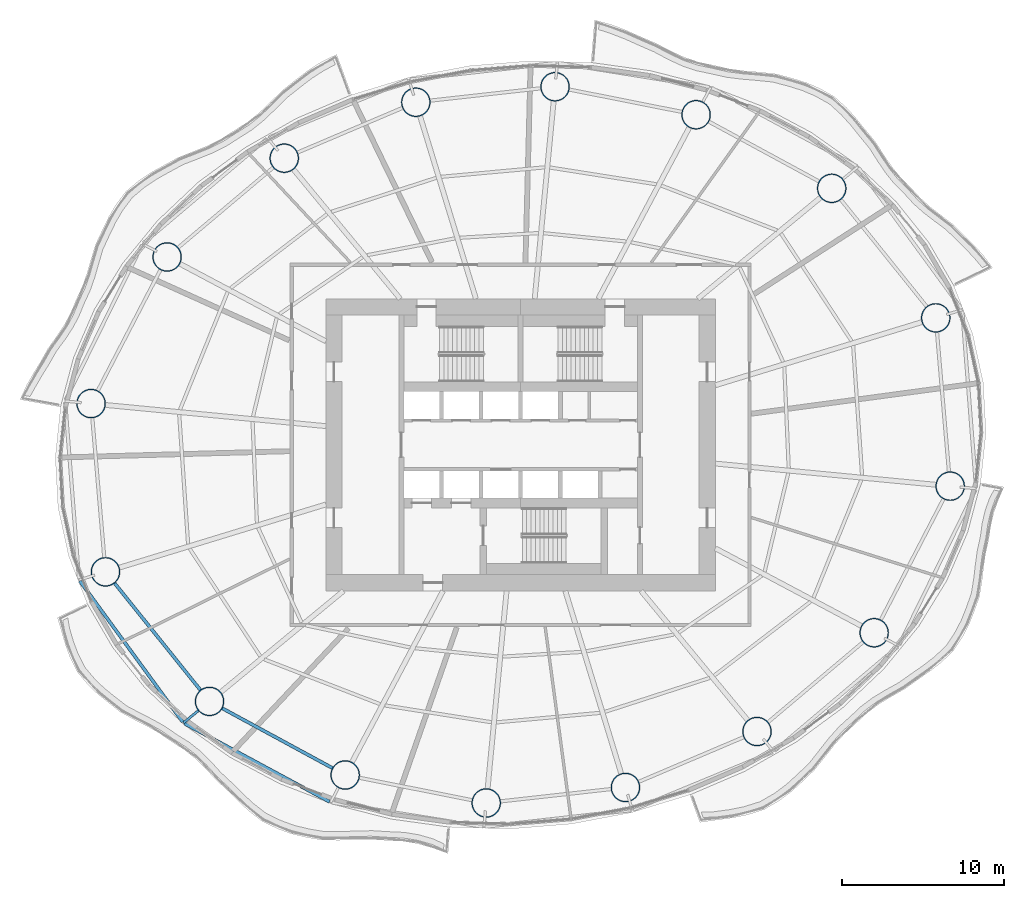
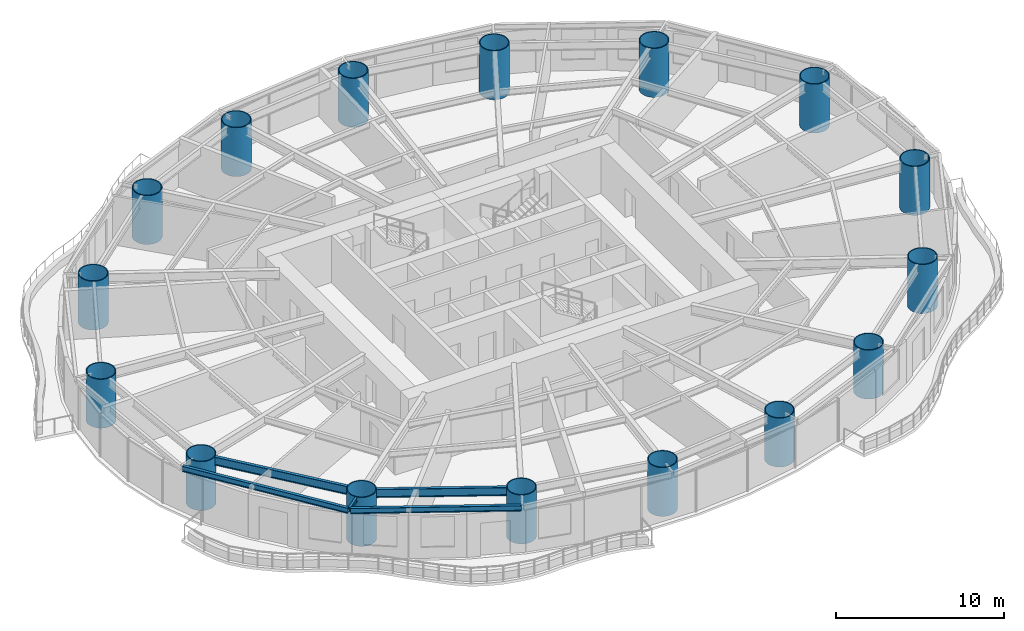
# One storey, part 1 of 16: 16 columns, 5 beams.
"""IFC4 building model written with IfcOpenShell, lengths in metres."""

from ifc_helpers import new_model, si_unit, direction, frame, origin, origin_2d, place, context, subcontext, project, spatial, hollow_circle, i_section, extrude, material, material_profile, profile_set, type_object, element, save


model = new_model("IFC4")

# Units and contexts
model_context = context("Model", 3, precision=1e-05, world=origin(), true_north=direction((0.0, 1.0)))
body_context = subcontext(model_context, "Body", "Model", "MODEL_VIEW")
ifc_project = project(units=[si_unit("LENGTHUNIT", "METRE"), si_unit("AREAUNIT", "SQUARE_METRE"), si_unit("VOLUMEUNIT", "CUBIC_METRE"), si_unit("PLANEANGLEUNIT", "RADIAN"), si_unit("MASSUNIT", "GRAM", prefix="KILO")], contexts=[model_context])

# Site, building, storey
site_placement = place(None, origin())
site = spatial("IfcSite", under=ifc_project, at=site_placement, CompositionType="ELEMENT")
building_placement = place(site_placement, origin())
building = spatial("IfcBuilding", under=site, at=building_placement, Name="Vermilion Reach Broadcast Tower", CompositionType="ELEMENT")
storey_placement = place(building_placement, frame((0.0, 0.0, 65.60009765625)))
storey = spatial("IfcBuildingStorey", under=building, at=storey_placement, Name="L13", CompositionType="ELEMENT", Elevation=65.60009765625)

# Columns
ifc_material_1 = material(Name="Concrete C80 infill in steel S460NL tube", Category="concrete")
ifc_material_profile_1 = material_profile(ifc_material_1, hollow_circle(Radius=0.89990234375, WallThickness=0.06005859375, at=origin_2d()), Name="Concrete C80 infill in steel S460NL tube CFT 1800x60")
ifc_profile_set_1 = profile_set([ifc_material_profile_1], Name="Concrete C80 infill in steel S460NL tube")
column_type = type_object("IfcColumnType", Name="MC1 CFT 1800x60", PredefinedType="COLUMN", material=ifc_profile_set_1)
for number, where, z_axis, x_axis, name in (
    (1, (19.575439453125, 7.823974609375, 0.0), (0.0, 0.0, 1.0), (1.0, 0.0, 0.0), "Mega-column MC1-01"),
    (2, (13.166259765625, 15.804931640625, 0.0), (0.0, 0.0, 1.0), (1.0, 0.0, 0.0), "Mega-column MC1-02"),
    (3, (4.809814453125, 20.3388671875, 0.0), (0.0, 0.0, 1.0), (1.0, 0.0, 0.0), "Mega-column MC1-03"),
    (4, (-3.87939453125, 22.06396484375, 0.0), (0.0, 0.0, 1.0), (1.0, 0.0, 0.0), "Mega-column MC1-04"),
    (5, (-12.45751953125, 21.108154296875, 0.0), (0.0, 0.0, 1.0), (1.0, 0.0, 0.0), "Mega-column MC1-05"),
    (6, (-20.563232421875, 17.660400390625, 0.0), (0.0, 0.0, 1.0), (1.0, 0.0, 0.0), "Mega-column MC1-06"),
    (7, (-27.77978515625, 11.57568359375, 0.0), (0.0, 0.0, 1.0), (1.0, 0.0, 0.0), "Mega-column MC1-07"),
    (8, (-32.464111328125, 2.54345703125, 0.0), (0.0, 0.0, 1.0), (1.0, 0.0, 0.0), "Mega-column MC1-08"),
    (9, (-31.575439453125, -7.823974609375, 0.0), (0.0, 0.0, 1.0), (1.0, 0.0, 0.0), "Mega-column MC1-09"),
    (10, (-25.166259765625, -15.804931640625, 0.0), (0.0, 0.0, 1.0), (1.0, 0.0, 0.0), "Mega-column MC1-10"),
    (11, (-16.809814453125, -20.3388671875, 0.0), (0.0, 0.0, 1.0), (1.0, 0.0, 0.0), "Mega-column MC1-11"),
    (12, (-8.12060546875, -22.06396484375, 0.0), (0.0, 0.0, 1.0), (1.0, 0.0, 0.0), "Mega-column MC1-12"),
    (13, (0.45751953125, -21.108154296875, 0.0), (0.0, 0.0, 1.0), (1.0, 0.0, 0.0), "Mega-column MC1-13"),
    (14, (8.563232421875, -17.660400390625, 0.0), (0.0, 0.0, 1.0), (1.0, 0.0, 0.0), "Mega-column MC1-14"),
    (15, (15.77978515625, -11.57568359375, 0.0), (0.0, 0.0, 1.0), (1.0, 0.0, 0.0), "Mega-column MC1-15"),
    (16, (20.464111328125, -2.54345703125, 0.0), (0.0, 0.0, 1.0), (1.0, 0.0, 0.0), "Mega-column MC1-16"),
):
    element("IfcColumn", number, at=place(storey_placement, frame(where, z_axis=z_axis, x_axis=x_axis)), inside=storey, type_object=column_type, Name=name, PredefinedType="COLUMN", context=body_context, shape_type="SweptSolid", body=[
        extrude(hollow_circle(Radius=0.89990234375, WallThickness=0.06005859375, at=origin_2d()), origin(), (0.0, 0.0, 1.0), 3.5498046875),
    ])

# Beams
ifc_material_2 = material(Name="Steel S355J2", Category="steel")
ifc_material_profile_2 = material_profile(ifc_material_2, i_section(OverallWidth=0.199951171875, OverallDepth=0.39990234375, WebThickness=0.008056640625, FlangeThickness=0.012939453125, at=origin_2d()), Name="S355J2 HN 400x200x8x13")
ifc_profile_set_2 = profile_set([ifc_material_profile_2], Name="Steel S355J2")
beam_type_1 = type_object("IfcBeamType", Name="EB1 HN 400x200x8x13", PredefinedType="BEAM", material=ifc_profile_set_2)
beam_1_placement = place(storey_placement, frame((-33.157470703125, -8.386474609375, 3.349853515625), z_axis=(0.5895399512, -0.807739219018, 0.0), x_axis=(0.807739219018, 0.5895399512, 0.0)))
element("IfcBeam", 17, at=beam_1_placement, inside=storey, type_object=beam_type_1, Name="Edge beam EB1-09", PredefinedType="BEAM", context=body_context, shape_type="SweptSolid", body=[
    extrude(i_section(OverallWidth=0.199951171875, OverallDepth=0.39990234375, WebThickness=0.008056640625, FlangeThickness=0.012939453125, at=origin_2d()), origin(), (0.0, 0.0, 1.0), 10.75146484375),
])
beam_2_placement = place(storey_placement, frame((-26.70361328125, -17.169921875, 3.349853515625), z_axis=(0.880136414313, -0.474720857136, 0.0), x_axis=(0.474720857136, 0.880136414313, 0.0)))
element("IfcBeam", 18, at=beam_2_placement, inside=storey, type_object=beam_type_1, Name="Edge beam EB1-10", PredefinedType="BEAM", context=body_context, shape_type="SweptSolid", body=[
    extrude(i_section(OverallWidth=0.199951171875, OverallDepth=0.39990234375, WebThickness=0.008056640625, FlangeThickness=0.012939453125, at=origin_2d()), origin(), (0.0, 0.0, 1.0), 10.14892578125),
])
ifc_material_3 = material(Name="Steel S355J2", Category="steel")
ifc_material_profile_3 = material_profile(ifc_material_3, i_section(OverallWidth=0.14990234375, OverallDepth=0.300048828125, WebThickness=0.006591796875, FlangeThickness=0.009033203125, at=origin_2d()), Name="S355J2 HN 300x150x6.5x9")
ifc_profile_set_3 = profile_set([ifc_material_profile_3], Name="Steel S355J2")
beam_type_2 = type_object("IfcBeamType", Name="GS1 HN 300x150x6.5x9", PredefinedType="BEAM", material=ifc_profile_set_3)
beam_3_placement = place(storey_placement, frame((-25.860595703125, -16.377685546875, 3.39990234375), z_axis=(-0.771454190729, -0.636284866712, 0.0), x_axis=(0.636284866712, -0.771454190729, 0.0)))
element("IfcBeam", 19, at=beam_3_placement, inside=storey, type_object=beam_type_2, Name="Cantilever stub GS1-10", PredefinedType="BEAM", context=body_context, shape_type="SweptSolid", body=[
    extrude(i_section(OverallWidth=0.14990234375, OverallDepth=0.300048828125, WebThickness=0.006591796875, FlangeThickness=0.009033203125, at=origin_2d()), origin(), (0.0, 0.0, 1.0), 1.184814453125),
])
ifc_material_4 = material(Name="Steel S355J2", Category="steel")
ifc_material_profile_4 = material_profile(ifc_material_4, i_section(OverallWidth=0.199951171875, OverallDepth=0.60009765625, WebThickness=0.010986328125, FlangeThickness=0.01708984375, at=origin_2d()), Name="S355J2 HN 600x200x11x17")
ifc_profile_set_4 = profile_set([ifc_material_profile_4], Name="Steel S355J2")
beam_type_3 = type_object("IfcBeamType", Name="RB1 HN 600x200x11x17", PredefinedType="BEAM", material=ifc_profile_set_4)
beam_4_placement = place(storey_placement, frame((-31.011962890625, -8.52587890625, 3.25), z_axis=(0.626162157191, -0.779692858055, 0.0), x_axis=(0.779692858055, 0.626162157191, 0.0)))
element("IfcBeam", 20, at=beam_4_placement, inside=storey, type_object=beam_type_3, Name="Ring beam RB1-09", PredefinedType="BEAM", context=body_context, shape_type="SweptSolid", body=[
    extrude(i_section(OverallWidth=0.199951171875, OverallDepth=0.60009765625, WebThickness=0.010986328125, FlangeThickness=0.01708984375, at=origin_2d()), origin(), (0.0, 0.0, 1.0), 8.435791015625),
])
beam_5_placement = place(storey_placement, frame((-24.375244140625, -16.234130859375, 3.25), z_axis=(0.878962319551, -0.476891225344, 0.0), x_axis=(0.476891225344, 0.878962319551, 0.0)))
element("IfcBeam", 21, at=beam_5_placement, inside=storey, type_object=beam_type_3, Name="Ring beam RB1-10", PredefinedType="BEAM", context=body_context, shape_type="SweptSolid", body=[
    extrude(i_section(OverallWidth=0.199951171875, OverallDepth=0.60009765625, WebThickness=0.010986328125, FlangeThickness=0.01708984375, at=origin_2d()), origin(), (0.0, 0.0, 1.0), 7.707275390625),
])

save(model, "model.ifc")
